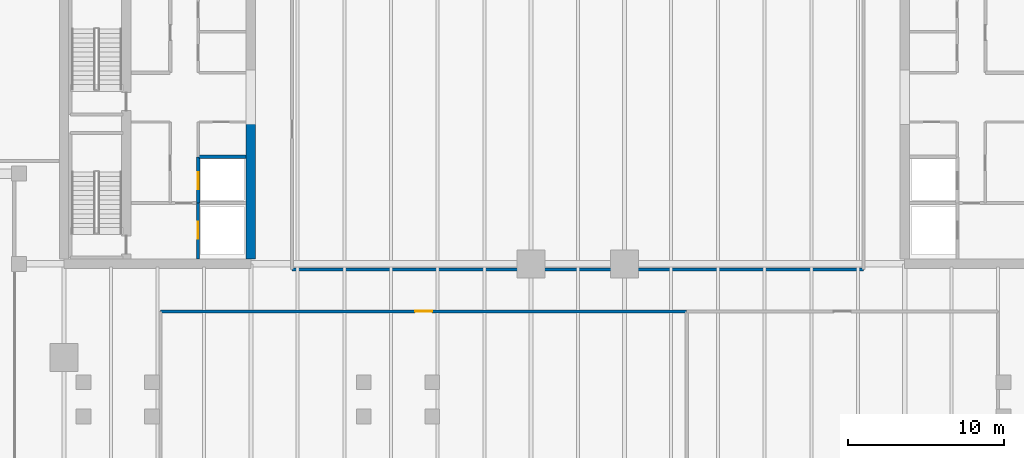
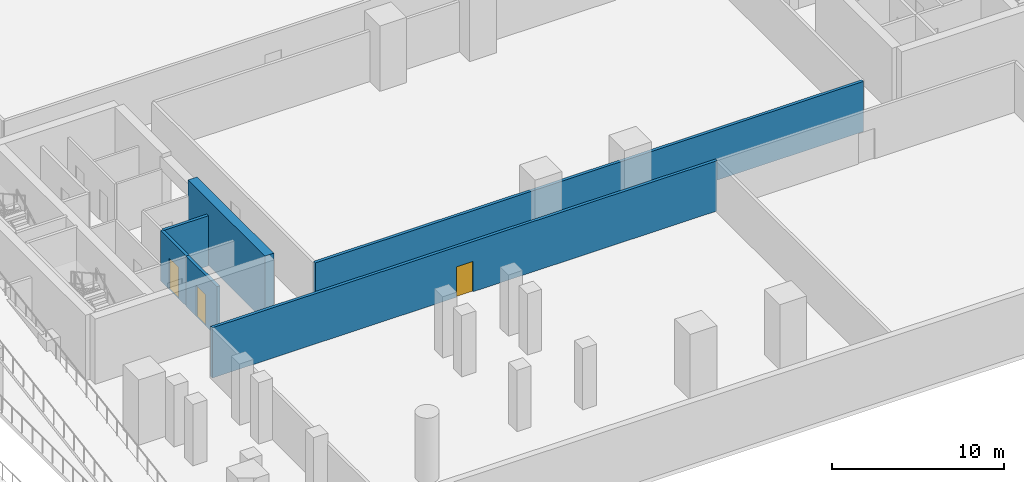
# One storey, part 5 of 13: 6 walls, 3 doors, 3 openings.
"""IFC4 building model written with IfcOpenShell, lengths in metres."""

from ifc_helpers import new_model, si_unit, direction, frame, frame_2d, origin, place, context, subcontext, project, spatial, rectangle, extrude, material, layer, layer_set, type_object, element, fill, save


model = new_model("IFC4")

# Units and contexts
model_context = context("Model", 3, precision=1e-05, world=origin(), true_north=direction((0.0, 1.0)))
body_context = subcontext(model_context, "Body", "Model", "MODEL_VIEW")
ifc_project = project(units=[si_unit("LENGTHUNIT", "METRE"), si_unit("AREAUNIT", "SQUARE_METRE"), si_unit("VOLUMEUNIT", "CUBIC_METRE"), si_unit("PLANEANGLEUNIT", "RADIAN"), si_unit("MASSUNIT", "GRAM", prefix="KILO")], contexts=[model_context])

# Site, building, storey
site_placement = place(None, origin())
site = spatial("IfcSite", under=ifc_project, at=site_placement, CompositionType="ELEMENT")
building_placement = place(site_placement, origin())
building = spatial("IfcBuilding", under=site, at=building_placement, Name="Tanjung Sevakor Pilgrim Tower", CompositionType="ELEMENT")
storey_placement = place(building_placement, frame((0.0, 0.0, -4.6201171875)))
storey = spatial("IfcBuildingStorey", under=building, at=storey_placement, Name="B01", CompositionType="ELEMENT", Elevation=-4.6201171875)

# Wall
ifc_material_1 = material(Name="Concrete C60/75", Category="concrete")
ifc_layer_1 = layer(ifc_material_1, 0.60009765625)
ifc_layer_set_1 = layer_set([ifc_layer_1], Name="WALL-CW-600B")
wall_type_1 = type_object("IfcWallType", Name="WALL-CW-600B", PredefinedType="SHEAR", material=ifc_layer_set_1)
wall_1_placement = place(storey_placement, frame((36.0, 24.89990234375, 0.0), z_axis=(0.0, 0.0, 1.0), x_axis=(0.0, 1.0, 0.0)))
element("IfcWall", 1, at=wall_1_placement, inside=storey, type_object=wall_type_1, Name="B01 W Core Inner Shear Wall South", PredefinedType="SHEAR", context=body_context, shape_type="SweptSolid", body=[
    extrude(rectangle(XDim=8.900146484375, YDim=0.60009765625, at=frame_2d((4.4501953125, 0.0))), origin(), (0.0, 0.0, 1.0), 4.6201171875),
])

# Wall, opening, door
ifc_material_2 = material(Name="Concrete C40/50", Category="concrete")
ifc_layer_2 = layer(ifc_material_2, 0.199951171875)
ifc_layer_set_2 = layer_set([ifc_layer_2], Name="WT-FPRT-200")
wall_type_2 = type_object("IfcWallType", Name="WT-FPRT-200", PredefinedType="SOLIDWALL", material=ifc_layer_set_2)
wall_2_placement = place(storey_placement, frame((32.60009765625, 24.919921875, 0.0), z_axis=(0.0, 0.0, 1.0), x_axis=(0.0, 1.0, 0.0)))
wall_2 = element("IfcWall", 2, at=wall_2_placement, inside=storey, type_object=wall_type_2, Name="B01 Partition IW-B01-001", PredefinedType="SOLIDWALL", context=body_context, shape_type="SweptSolid", body=[
    extrude(rectangle(XDim=3.580078125, YDim=0.199951171875, at=frame_2d((1.7900390625, 0.0))), origin(), (0.0, 0.0, 1.0), 3.56005859375),
])
opening_1_placement = place(wall_2_placement, frame((1.300048828125, 0.0, 0.0)))
opening_1 = element("IfcOpeningElement", 3, at=opening_1_placement, cuts=wall_2, Name="Opening LD-1100", PredefinedType="OPENING", context=body_context, shape_type="SweptSolid", body=[
    extrude(rectangle(XDim=1.10009765625, YDim=2.199951171875, at=frame_2d((0.550048828125, 1.10009765625))), frame((0.0, 0.10986328125, 0.0), z_axis=(0.0, -1.0, 0.0), x_axis=(1.0, 0.0, 0.0)), (0.0, 0.0, 1.0), 0.219970703125),
])
ifc_material_3 = material(Name="Brushed Stainless Steel S355J2", Category="steel")
door_type_1 = type_object("IfcDoorType", Name="DT-LIFT-1100", OperationType="SLIDING_TO_LEFT", PredefinedType="DOOR", material=ifc_material_3)
door_1_placement = place(opening_1_placement, origin())
door_1 = element("IfcDoor", 4, at=door_1_placement, inside=storey, type_object=door_type_1, Name="LD-FL-W", OperationType="SLIDING_TO_LEFT", OverallHeight=2.199951171875, OverallWidth=1.10009765625, PredefinedType="DOOR", context=body_context, shape_type="SweptSolid", body=[
    extrude(rectangle(XDim=1.10009765625, YDim=2.199951171875, at=frame_2d((0.550048828125, 1.10009765625))), frame((0.0, 0.02490234375, 0.0), z_axis=(0.0, -1.0, 0.0), x_axis=(1.0, 0.0, 0.0)), (0.0, 0.0, 1.0), 0.050048828125),
])
fill(opening_1, door_1)

# Wall
wall_3_placement = place(storey_placement, frame((32.679931640625, 31.47998046875, 0.0), z_axis=(0.0, 0.0, 1.0), x_axis=(1.0, 0.0, 0.0)))
element("IfcWall", 5, at=wall_3_placement, inside=storey, type_object=wall_type_2, Name="B01 Partition IW-B01-005", PredefinedType="SOLIDWALL", context=body_context, shape_type="SweptSolid", body=[
    extrude(rectangle(XDim=3.0, YDim=0.199951171875, at=frame_2d((1.5, 0.0))), origin(), (0.0, 0.0, 1.0), 3.56005859375),
])

# Wall, opening, door
wall_4_placement = place(storey_placement, frame((32.6201171875, 28.5, 0.0), z_axis=(0.0, 0.0, 1.0), x_axis=(0.0, 1.0, 0.0)))
wall_4 = element("IfcWall", 6, at=wall_4_placement, inside=storey, type_object=wall_type_2, Name="B01 Partition IW-B01-006", PredefinedType="SOLIDWALL", context=body_context, shape_type="SweptSolid", body=[
    extrude(rectangle(XDim=2.97998046875, YDim=0.199951171875, at=frame_2d((1.489990234375, 0.0))), origin(), (0.0, 0.0, 1.0), 3.56005859375),
])
opening_2_placement = place(wall_4_placement, frame((0.89990234375, 0.0, 0.0)))
opening_2 = element("IfcOpeningElement", 7, at=opening_2_placement, cuts=wall_4, Name="Opening LD-1100", PredefinedType="OPENING", context=body_context, shape_type="SweptSolid", body=[
    extrude(rectangle(XDim=1.10009765625, YDim=2.199951171875, at=frame_2d((0.550048828125, 1.10009765625))), frame((0.0, 0.10986328125, 0.0), z_axis=(0.0, -1.0, 0.0), x_axis=(1.0, 0.0, 0.0)), (0.0, 0.0, 1.0), 0.219970703125),
])
door_2_placement = place(opening_2_placement, origin())
door_2 = element("IfcDoor", 8, at=door_2_placement, inside=storey, type_object=door_type_1, Name="LD-SLP-W", OperationType="SLIDING_TO_LEFT", OverallHeight=2.199951171875, OverallWidth=1.10009765625, PredefinedType="DOOR", context=body_context, shape_type="SweptSolid", body=[
    extrude(rectangle(XDim=1.10009765625, YDim=2.199951171875, at=frame_2d((0.550048828125, 1.10009765625))), frame((0.0, 0.02490234375, 0.0), z_axis=(0.0, -1.0, 0.0), x_axis=(1.0, 0.0, 0.0)), (0.0, 0.0, 1.0), 0.050048828125),
])
fill(opening_2, door_2)

wall_5_placement = place(storey_placement, frame((30.199951171875, 21.550048828125, 0.0), z_axis=(0.0, 0.0, 1.0), x_axis=(1.0, 0.0, 0.0)))
wall_5 = element("IfcWall", 9, at=wall_5_placement, inside=storey, type_object=wall_type_2, Name="B01 Partition IW-B01-035", PredefinedType="SOLIDWALL", context=body_context, shape_type="SweptSolid", body=[
    extrude(rectangle(XDim=33.800048828125, YDim=0.199951171875, at=frame_2d((16.89990234375, 0.0))), origin(), (0.0, 0.0, 1.0), 3.56005859375),
])
opening_3_placement = place(wall_5_placement, frame((16.35009765625, 0.0, 0.0)))
opening_3 = element("IfcOpeningElement", 10, at=opening_3_placement, cuts=wall_5, Name="Opening ID-FD0", PredefinedType="OPENING", context=body_context, shape_type="SweptSolid", body=[
    extrude(rectangle(XDim=1.10009765625, YDim=2.14990234375, at=frame_2d((0.550048828125, 1.074951171875))), frame((0.0, 0.10986328125, 0.0), z_axis=(0.0, -1.0, 0.0), x_axis=(1.0, 0.0, 0.0)), (0.0, 0.0, 1.0), 0.219970703125),
])
ifc_material_4 = material(Name="Fire-Rated Steel S355J2", Category="steel")
door_type_2 = type_object("IfcDoorType", Name="DT-FIRE-1100", OperationType="NOTDEFINED", PredefinedType="DOOR", material=ifc_material_4)
door_3_placement = place(opening_3_placement, origin())
door_3 = element("IfcDoor", 11, at=door_3_placement, inside=storey, type_object=door_type_2, Name="B01 Car Park Fire Door", OperationType="SINGLE_SWING_LEFT", OverallHeight=2.14990234375, OverallWidth=1.10009765625, PredefinedType="DOOR", context=body_context, shape_type="SweptSolid", body=[
    extrude(rectangle(XDim=1.10009765625, YDim=2.14990234375, at=frame_2d((0.550048828125, 1.074951171875))), frame((0.0, 0.02490234375, 0.0), z_axis=(0.0, -1.0, 0.0), x_axis=(1.0, 0.0, 0.0)), (0.0, 0.0, 1.0), 0.050048828125),
])
fill(opening_3, door_3)

# Wall
wall_6_placement = place(storey_placement, frame((38.64990234375, 24.25, 0.0), z_axis=(0.0, 0.0, 1.0), x_axis=(1.0, 0.0, 0.0)))
element("IfcWall", 12, at=wall_6_placement, inside=storey, type_object=wall_type_2, Name="B01 Partition IW-B01-045", PredefinedType="SOLIDWALL", context=body_context, shape_type="SweptSolid", body=[
    extrude(rectangle(XDim=36.7001953125, YDim=0.199951171875, at=frame_2d((18.35009765625, 0.0))), origin(), (0.0, 0.0, 1.0), 3.56005859375),
])

save(model, "model.ifc")
